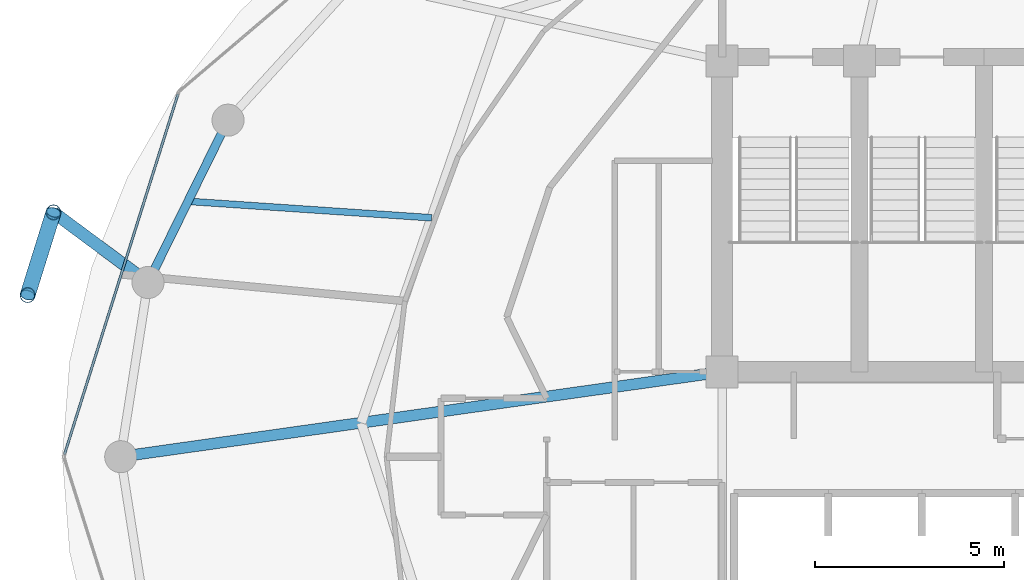
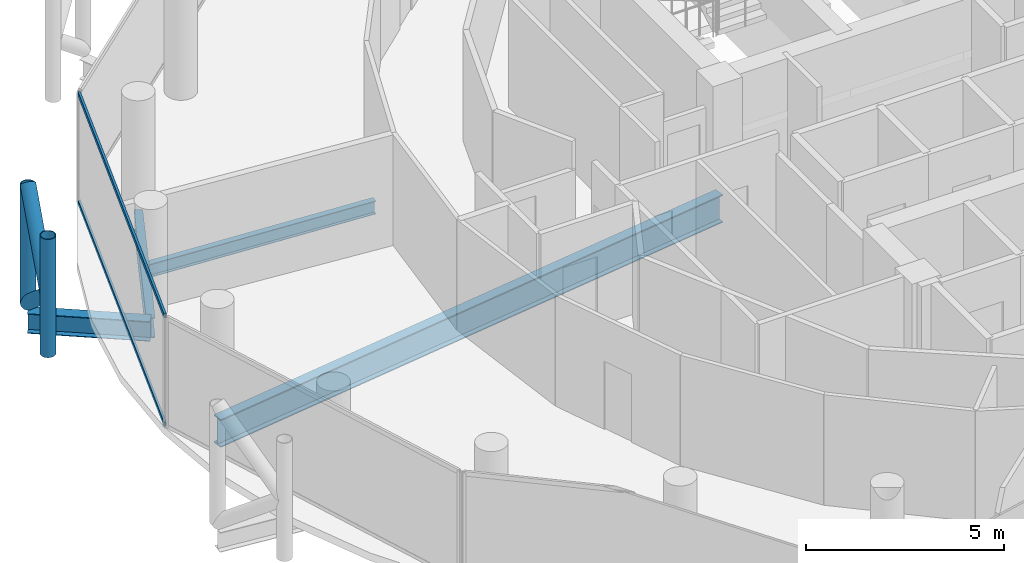
# One storey, part 8 of 27: 6 members, 4 beams, 1 element without a shape of its own.
"""IFC4 building model written with IfcOpenShell, lengths in metres."""

import ifcopenshell
import ifcopenshell.guid

model = None  # the IFC model being written
_history = None  # IfcOwnerHistory: only IFC2X3 demands one
_inside = {}  # id of a spatial element -> (the spatial element, [elements in it])
_under = {}  # id of a project, library or spatial element -> (it, [spatial elements below it])
_declared = {}  # id of a project -> (the project, [libraries it declares])
_typed = {}  # id of a type object -> (the type object, [elements of that type])
_made_of = {}  # id of a material, layer set ... -> (it, [elements and type objects made of it])


def new_model(schema):
    """Start an empty IFC model of exactly this schema.

    Asked for "IFC4X3", IfcOpenShell would pick the latest addendum, in which some entities
    have other attributes; the version numbers below select the first issue.
    IFC2X3 requires an IfcOwnerHistory on every rooted entity: one is made here for all.
    """
    global model, _history
    if schema == "IFC4X3":
        model = ifcopenshell.file(schema_version=(4, 3, 0, 0))
    else:
        model = ifcopenshell.file(schema=schema)
    _inside.clear()
    _under.clear()
    _declared.clear()
    _typed.clear()
    _made_of.clear()
    _history = None
    if model.schema == "IFC2X3":
        org = make("IfcOrganization", Name="unknown")
        user = make(
            "IfcPersonAndOrganization",
            ThePerson=make("IfcPerson", FamilyName="unknown"),
            TheOrganization=org,
        )
        app = make(
            "IfcApplication",
            ApplicationDeveloper=org,
            Version="unknown",
            ApplicationFullName="unknown",
            ApplicationIdentifier="unknown",
        )
        _history = make(
            "IfcOwnerHistory",
            OwningUser=user,
            OwningApplication=app,
            ChangeAction="ADDED",
            CreationDate=0,
        )
    return model


def make(cls, **values):
    """One entity of the class cls with the attributes given. An attribute that is None is left unset."""
    return model.create_entity(
        cls, **{name: value for name, value in values.items() if value is not None}
    )


def rooted(cls, **values):
    """An entity with a GlobalId (a new one), such as an element, a storey or a relation."""
    return make(cls, GlobalId=ifcopenshell.guid.new(), OwnerHistory=_history, **values)


def si_unit(unit_type, name, prefix=None):
    """IfcSIUnit, for example si_unit("LENGTHUNIT", "METRE", prefix="MILLI")."""
    return make("IfcSIUnit", UnitType=unit_type, Prefix=prefix, Name=name)


def assignment(units):
    """IfcUnitAssignment: the units of a project."""
    return None if units is None else make("IfcUnitAssignment", Units=units)


def point(xyz):
    """IfcCartesianPoint."""
    return None if xyz is None else make("IfcCartesianPoint", Coordinates=xyz)


def direction(xyz):
    """IfcDirection."""
    return None if xyz is None else make("IfcDirection", DirectionRatios=xyz)


def frame(location, z_axis=None, x_axis=None):
    """IfcAxis2Placement3D, a coordinate frame: its origin and axes. An axis left out is left unset."""
    return make(
        "IfcAxis2Placement3D",
        Location=point(location),
        Axis=direction(z_axis),
        RefDirection=direction(x_axis),
    )


def frame_2d(location, x_axis=None):
    """IfcAxis2Placement2D, a coordinate frame in the plane: its origin and x axis."""
    return make(
        "IfcAxis2Placement2D", Location=point(location), RefDirection=direction(x_axis)
    )


def origin():
    """The frame at (0, 0, 0) with its axes left unset."""
    return frame((0.0, 0.0, 0.0))


def origin_2d():
    """The frame at (0, 0) in the plane with its x axis left unset."""
    return frame_2d((0.0, 0.0))


def place(relative_to, where):
    """IfcLocalPlacement: puts the frame where relative to a parent placement (None: the world)."""
    return make(
        "IfcLocalPlacement", PlacementRelTo=relative_to, RelativePlacement=where
    )


def context(
    kind, dimensions, precision=None, world=None, true_north=None, identifier=None
):
    """IfcGeometricRepresentationContext, for example the 3D "Model" context."""
    return make(
        "IfcGeometricRepresentationContext",
        ContextIdentifier=identifier,
        ContextType=kind,
        CoordinateSpaceDimension=dimensions,
        Precision=precision,
        WorldCoordinateSystem=world,
        TrueNorth=true_north,
    )


def subcontext(parent, identifier, kind, view, scale=None):
    """IfcGeometricRepresentationSubContext, for example "Body" below "Model"."""
    return make(
        "IfcGeometricRepresentationSubContext",
        ContextIdentifier=identifier,
        ContextType=kind,
        ParentContext=parent,
        TargetScale=scale,
        TargetView=view,
    )


def project(units=None, contexts=None):
    """IfcProject with its units and contexts."""
    return rooted(
        "IfcProject",
        Name="project",
        RepresentationContexts=contexts,
        UnitsInContext=assignment(units),
    )


def spatial(cls, under=None, at=None, **own):
    """A site, building, storey or space (cls), placed at a placement, below another one or the project."""
    s = rooted(cls, ObjectPlacement=at, **own)
    if under is not None:
        _under.setdefault(under.id(), (under, []))[1].append(s)
    return s


def profile(cls, at=None, kind="AREA", **sizes):
    """A parametric profile (cls). Its sizes go by their IFC names, for example OverallWidth=200.0."""
    return make(cls, ProfileType=kind, Position=at, **sizes)


def hollow_rectangle(**sizes):
    """IfcRectangleHollowProfileDef."""
    return profile("IfcRectangleHollowProfileDef", **sizes)


def hollow_circle(**sizes):
    """IfcCircleHollowProfileDef."""
    return profile("IfcCircleHollowProfileDef", **sizes)


def i_section(**sizes):
    """IfcIShapeProfileDef."""
    return profile("IfcIShapeProfileDef", **sizes)


def extrude(swept, where, along, depth):
    """IfcExtrudedAreaSolid: the profile swept, set in the frame where, extruded along a direction by depth."""
    return make(
        "IfcExtrudedAreaSolid",
        SweptArea=swept,
        Position=where,
        ExtrudedDirection=direction(along),
        Depth=depth,
    )


def shape(context_of_items, identifier, shape_type, items):
    """IfcShapeRepresentation: the items that make up one representation, for example the "Body"."""
    return make(
        "IfcShapeRepresentation",
        ContextOfItems=context_of_items,
        RepresentationIdentifier=identifier,
        RepresentationType=shape_type,
        Items=items,
    )


def material(Name=None, Category=None):
    """IfcMaterial."""
    return make("IfcMaterial", Name=Name, Category=Category)


def layer(
    of_material, thickness, ventilated=None, Name=None, Category=None, Priority=None
):
    """IfcMaterialLayer: one layer of a wall or slab, of a material (None: an air gap)."""
    return make(
        "IfcMaterialLayer",
        Material=of_material,
        LayerThickness=thickness,
        IsVentilated=ventilated,
        Name=Name,
        Category=Category,
        Priority=Priority,
    )


def layer_set(layers, Name=None):
    """IfcMaterialLayerSet."""
    return make("IfcMaterialLayerSet", MaterialLayers=layers, LayerSetName=Name)


def material_profile(
    of_material, cross_section, Name=None, Category=None, Priority=None
):
    """IfcMaterialProfile: a cross section and its material."""
    return make(
        "IfcMaterialProfile",
        Name=Name,
        Material=of_material,
        Profile=cross_section,
        Priority=Priority,
        Category=Category,
    )


def profile_set(profiles, Name=None, composite=None):
    """IfcMaterialProfileSet."""
    return make(
        "IfcMaterialProfileSet",
        Name=Name,
        MaterialProfiles=profiles,
        CompositeProfile=composite,
    )


def made_of(thing, what):
    """Note that an element or type object is made of a material, layer set ...; save() writes the relation."""
    if what is not None:
        _made_of.setdefault(what.id(), (what, []))[1].append(thing)
    return thing


def type_object(cls, material=None, **own):
    """A type object (cls), such as IfcWallType, which elements share."""
    return made_of(rooted(cls, **own), material)


def element(
    cls,
    number,
    at=None,
    inside=None,
    cuts=None,
    type_object=None,
    material=None,
    context=None,
    identifier="Body",
    shape_type=None,
    held_by="IfcProductDefinitionShape",
    body=None,
    shapes=None,
    **own,
):
    """One element of the class cls, such as IfcWall. Its Tag is "e" and its number.

    at: its placement. inside: the storey or other place that contains it. cuts: it is an
    opening in that element (IfcRelVoidsElement). A single representation is given by context,
    identifier, shape_type and body (its items); several are given by shapes. held_by: the class
    of the entity that holds the representations. save() writes the other relations.
    """
    e = rooted(cls, Tag="e%d" % number, ObjectPlacement=at, **own)
    if body is not None:
        shapes = [shape(context, identifier, shape_type, body)]
    if shapes is not None:
        e.Representation = make(held_by, Representations=shapes)
    if inside is not None:
        _inside.setdefault(inside.id(), (inside, []))[1].append(e)
    if cuts is not None:
        rooted(
            "IfcRelVoidsElement", RelatingBuildingElement=cuts, RelatedOpeningElement=e
        )
    if type_object is not None:
        _typed.setdefault(type_object.id(), (type_object, []))[1].append(e)
    return made_of(e, material)


def aggregate(whole, parts):
    """IfcRelAggregates: a whole, such as a stair, and the parts it consists of."""
    return rooted("IfcRelAggregates", RelatingObject=whole, RelatedObjects=parts)


def save(model, path):
    """Write the relations noted so far, then the file.

    IfcRelAggregates (storeys below a building ...), IfcRelContainedInSpatialStructure (elements
    in a storey), IfcRelDefinesByType, IfcRelAssociatesMaterial and IfcRelDeclares: one each for
    every whole, place, type object, material and project.
    """
    for whole, parts in _under.values():
        aggregate(whole, parts)
    for where, things in _inside.values():
        rooted(
            "IfcRelContainedInSpatialStructure",
            RelatedElements=things,
            RelatingStructure=where,
        )
    for kind, things in _typed.values():
        rooted("IfcRelDefinesByType", RelatedObjects=things, RelatingType=kind)
    for what, things in _made_of.values():
        rooted("IfcRelAssociatesMaterial", RelatedObjects=things, RelatingMaterial=what)
    for by, libraries in _declared.values():
        rooted("IfcRelDeclares", RelatingContext=by, RelatedDefinitions=libraries)
    model.write(path)


model = new_model("IFC4")

# Units and contexts
model_context = context("Model", 3, precision=1e-05, world=origin(), true_north=direction((0.0, 1.0)))
body_context = subcontext(model_context, "Body", "Model", "MODEL_VIEW")
ifc_project = project(units=[si_unit("LENGTHUNIT", "METRE"), si_unit("AREAUNIT", "SQUARE_METRE"), si_unit("VOLUMEUNIT", "CUBIC_METRE"), si_unit("PLANEANGLEUNIT", "RADIAN"), si_unit("MASSUNIT", "GRAM", prefix="KILO")], contexts=[model_context])

# Site, building, storey
site_placement = place(None, origin())
site = spatial("IfcSite", under=ifc_project, at=site_placement, CompositionType="ELEMENT")
building_placement = place(site_placement, origin())
building = spatial("IfcBuilding", under=site, at=building_placement, Name="Nuhasar Tower", CompositionType="ELEMENT")
storey_placement = place(building_placement, frame((0.0, 0.0, 248.300048828125)))
storey = spatial("IfcBuildingStorey", under=building, at=storey_placement, Name="L61", CompositionType="ELEMENT", Elevation=248.300048828125)

# Beams
ifc_material_1 = material(Name="Steel S355", Category="steel")
ifc_material_profile_1 = material_profile(ifc_material_1, i_section(OverallWidth=0.177978515625, OverallDepth=0.406005859375, WebThickness=0.0078125, FlangeThickness=0.0126953125, at=origin_2d()), Name="W16X40")
ifc_profile_set_1 = profile_set([ifc_material_profile_1], Name="Steel S355")
beam_type_1 = type_object("IfcBeamType", Name="BM-JST-W16X40", PredefinedType="JOIST", material=ifc_profile_set_1)
beam_1_placement = place(storey_placement, frame((25.9970703125, 33.135986328125, -0.443115234375), z_axis=(-0.997721156568, 0.067472170095, 0.0), x_axis=(-0.067472170095, -0.997721156568, 0.0)))
element("IfcBeam", 1, at=beam_1_placement, inside=storey, type_object=beam_type_1, Name="L61 Secondary Floor Joist 07", PredefinedType="JOIST", context=body_context, shape_type="SweptSolid", body=[
    extrude(i_section(OverallWidth=0.177978515625, OverallDepth=0.406005859375, WebThickness=0.0078125, FlangeThickness=0.0126953125, at=origin_2d()), origin(), (0.0, 0.0, 1.0), 6.476806640625),
])
ifc_material_profile_2 = material_profile(ifc_material_1, i_section(OverallWidth=0.2919921875, OverallDepth=0.85888671875, WebThickness=0.01708984375, FlangeThickness=0.031005859375, at=origin_2d()), Name="W33X169")
ifc_profile_set_2 = profile_set([ifc_material_profile_2], Name="Steel S355")
beam_type_2 = type_object("IfcBeamType", Name="BM-POD-W33X169", PredefinedType="BEAM", material=ifc_profile_set_2)
beam_2_placement = place(storey_placement, frame((33.699951171875, 29.050048828125, -0.6689453125), z_axis=(-0.990196233464, -0.139683281866, 0.0), x_axis=(0.139683281866, -0.990196233464, 0.0)))
element("IfcBeam", 2, at=beam_2_placement, inside=storey, type_object=beam_type_2, Name="L61 Radial Floor Girder 08", PredefinedType="BEAM", context=body_context, shape_type="SweptSolid", body=[
    extrude(i_section(OverallWidth=0.2919921875, OverallDepth=0.85888671875, WebThickness=0.01708984375, FlangeThickness=0.031005859375, at=origin_2d()), origin(), (0.0, 0.0, 1.0), 16.10791015625),
])
ifc_material_profile_3 = material_profile(ifc_material_1, i_section(OverallWidth=0.22802734375, OverallDepth=0.60791015625, WebThickness=0.01123046875, FlangeThickness=0.017333984375, at=origin_2d()), Name="W24X76")
ifc_profile_set_3 = profile_set([ifc_material_profile_3], Name="Steel S355")
beam_type_3 = type_object("IfcBeamType", Name="BM-RING-W24X76", PredefinedType="SPANDREL", material=ifc_profile_set_3)
beam_3_placement = place(storey_placement, frame((20.596923828125, 35.72509765625, -0.5439453125), z_axis=(-0.442242604409, -0.896895467067, 0.0), x_axis=(0.896895467067, -0.442242604409, 0.0)))
element("IfcBeam", 3, at=beam_3_placement, inside=storey, type_object=beam_type_3, Name="L61 Perimeter Ring Spandrel 11", PredefinedType="SPANDREL", context=body_context, shape_type="SweptSolid", body=[
    extrude(i_section(OverallWidth=0.22802734375, OverallDepth=0.60791015625, WebThickness=0.01123046875, FlangeThickness=0.017333984375, at=origin_2d()), origin(), (0.0, 0.0, 1.0), 4.800048828125),
])
ifc_material_profile_4 = material_profile(ifc_material_1, i_section(OverallWidth=0.323974609375, OverallDepth=0.611083984375, WebThickness=0.0126953125, FlangeThickness=0.01904296875, at=origin_2d()), Name="W24X104")
ifc_profile_set_4 = profile_set([ifc_material_profile_4], Name="Steel S355")
beam_type_4 = type_object("IfcBeamType", Name="BM-TIE-W24X104", PredefinedType="BEAM", material=ifc_profile_set_4)
beam_4_placement = place(storey_placement, frame((18.47412109375, 31.419921875, -0.545166015625), z_axis=(-0.802945922723, 0.596051881285, 0.0), x_axis=(-0.596051881285, -0.802945922723, 0.0)))
element("IfcBeam", 4, at=beam_4_placement, inside=storey, type_object=beam_type_4, Name="L61 Exoskeleton Node Tie Beam 06", PredefinedType="BEAM", context=body_context, shape_type="SweptSolid", body=[
    extrude(i_section(OverallWidth=0.323974609375, OverallDepth=0.611083984375, WebThickness=0.0126953125, FlangeThickness=0.01904296875, at=origin_2d()), origin(), (0.0, 0.0, 1.0), 3.122314453125),
])

# Curtain wall, members
ifc_material_2 = material(Name="Aluminium 6063-T6", Category="aluminium")
ifc_layer = layer(ifc_material_2, 0.18994140625)
ifc_layer_set = layer_set([ifc_layer], Name="Aluminium 6063-T6")
curtain_wall_type = type_object("IfcCurtainWallType", Name="CW-Z3-RES", PredefinedType="NOTDEFINED", material=ifc_layer_set)
curtain_wall_placement = place(storey_placement, origin())
curtain_wall = element("IfcCurtainWall", 5, at=curtain_wall_placement, inside=storey, type_object=curtain_wall_type, Name="L61 Unitised Curtain Wall 06", PredefinedType="NOTDEFINED")
ifc_material_profile_5 = material_profile(ifc_material_2, hollow_rectangle(XDim=0.06494140625, YDim=0.139892578125, WallThickness=0.00439453125, at=origin_2d()), Name="CWT-4")
ifc_profile_set_5 = profile_set([ifc_material_profile_5], Name="Aluminium 6063-T6")
member_type_1 = type_object("IfcMemberType", Name="CW-TRN-S4", PredefinedType="USERDEFINED", material=ifc_profile_set_5)
member_1_placement = place(storey_placement, frame((19.26953125, 36.41796875, 0.032470703125), z_axis=(-0.300437373386, -0.953801543652, 0.0), x_axis=(0.953801543652, -0.300437373386, 0.0)))
member_1 = element("IfcMember", 6, at=member_1_placement, type_object=member_type_1, Name="CW-Z3 transom 1.1", ObjectType="TRANSOM", PredefinedType="USERDEFINED", context=body_context, shape_type="SweptSolid", body=[
    extrude(hollow_rectangle(XDim=0.06494140625, YDim=0.139892578125, WallThickness=0.00439453125, at=origin_2d()), origin(), (0.0, 0.0, 1.0), 10.018798828125),
])
member_2_placement = place(storey_placement, frame((19.26953125, 36.41796875, 3.37744140625), z_axis=(-0.300437373386, -0.953801543652, 0.0), x_axis=(0.953801543652, -0.300437373386, 0.0)))
member_2 = element("IfcMember", 7, at=member_2_placement, type_object=member_type_1, Name="CW-Z3 transom 1.2", ObjectType="TRANSOM", PredefinedType="USERDEFINED", context=body_context, shape_type="SweptSolid", body=[
    extrude(hollow_rectangle(XDim=0.06494140625, YDim=0.139892578125, WallThickness=0.00439453125, at=origin_2d()), origin(), (0.0, 0.0, 1.0), 10.018798828125),
])
aggregate(curtain_wall, [member_1, member_2])

# Members
ifc_material_3 = material(Name="Steel S460", Category="steel")
ifc_material_profile_6 = material_profile(ifc_material_3, hollow_circle(Radius=0.203125, WallThickness=0.01904296875, at=origin_2d()), Name="HSS406.4X19.1")
ifc_profile_set_6 = profile_set([ifc_material_profile_6], Name="Steel S460")
member_type_2 = type_object("IfcMemberType", Name="EXO-BRONZE-406", PredefinedType="BRACE", material=ifc_profile_set_6)
for number, where, z_axis, x_axis, name in (
    (8, (15.967041015625, 33.281005859375, 0.0), (0.0, 0.0, 1.0), (1.0, 0.0, 0.0), "L61 Exoskeleton Chord Column EC-06A"),
    (9, (15.281982421875, 31.0859375, 0.0), (0.0, 0.0, 1.0), (1.0, 0.0, 0.0), "L61 Exoskeleton Chord Column EC-06B"),
):
    element("IfcMember", number, at=place(storey_placement, frame(where, z_axis=z_axis, x_axis=x_axis)), inside=storey, type_object=member_type_2, Name=name, PredefinedType="BRACE", context=body_context, shape_type="SweptSolid", body=[
        extrude(hollow_circle(Radius=0.203125, WallThickness=0.01904296875, at=origin_2d()), origin(), (0.0, 0.0, 1.0), 3.64990234375),
    ])
for number, where, z_axis, x_axis, name in (
    (10, (15.967041015625, 33.281005859375, 0.0), (-0.233357911711, -0.747726651531, 0.621650174641), (0.954591372974, -0.297918295247, 0.0), "L61 Bronze Diagrid Brace W1-06"),
    (11, (15.281982421875, 31.0859375, 1.824951171875), (0.233357911711, 0.747726651531, 0.621650174641), (-0.954591372974, 0.297918295247, 0.0), "L61 Bronze Diagrid Brace W2-06"),
):
    element("IfcMember", number, at=place(storey_placement, frame(where, z_axis=z_axis, x_axis=x_axis)), inside=storey, type_object=member_type_2, Name=name, PredefinedType="BRACE", context=body_context, shape_type="SweptSolid", body=[
        extrude(hollow_circle(Radius=0.203125, WallThickness=0.01904296875, at=origin_2d()), origin(), (0.0, 0.0, 1.0), 2.935546875),
    ])

save(model, "model.ifc")
